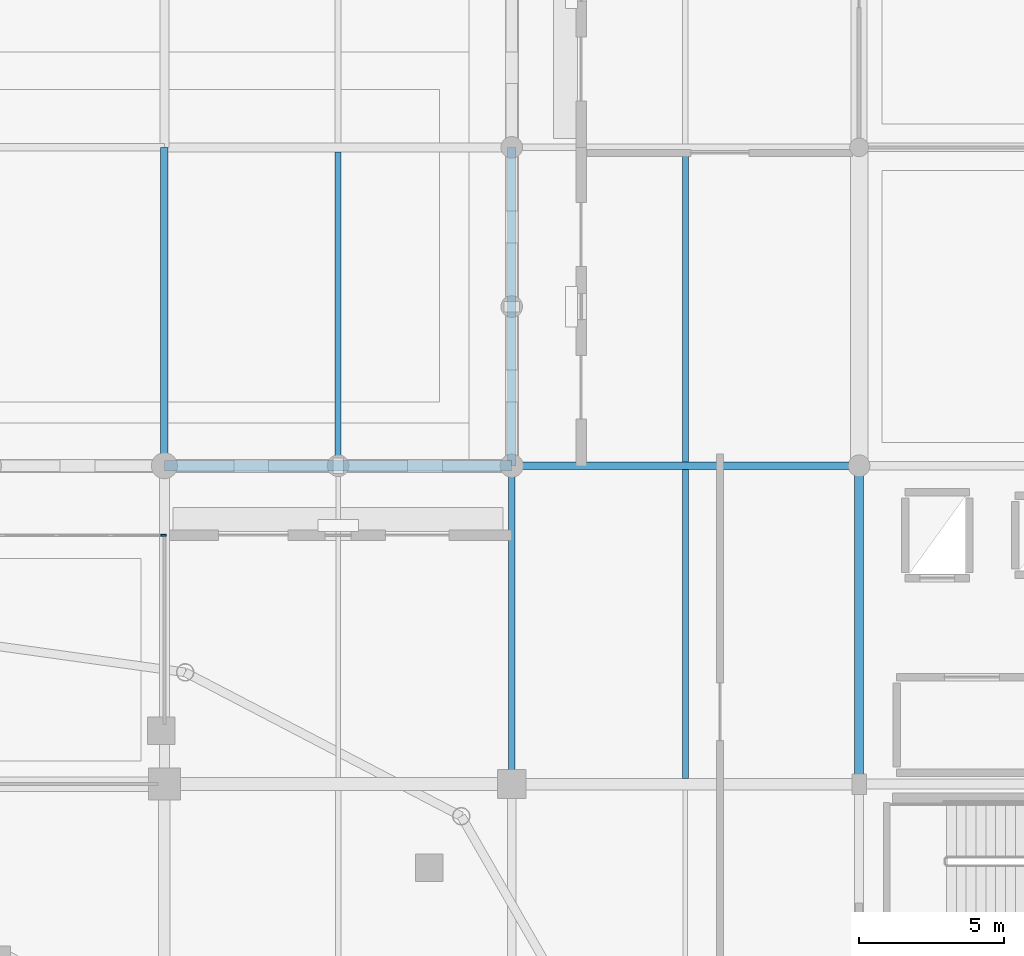
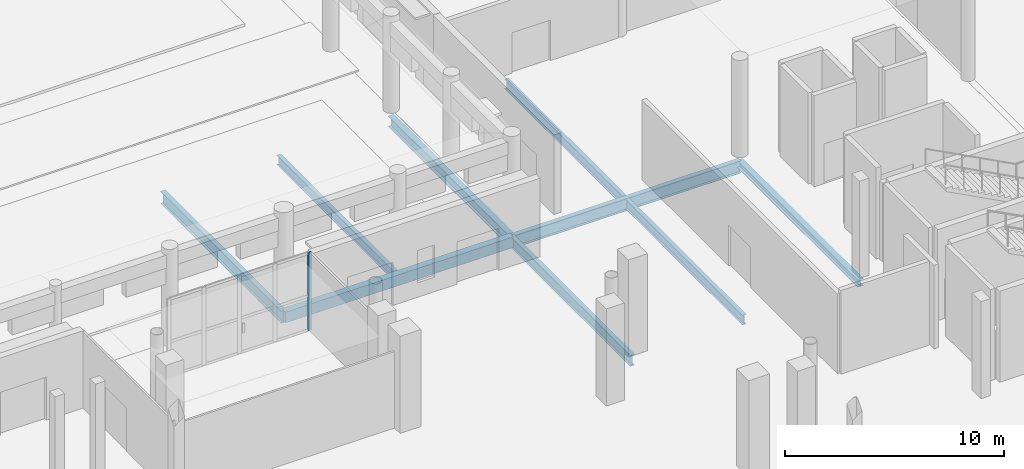
# One storey, part 34 of 120: 9 beams, 1 member, 1 element without a shape of its own.
"""IFC4 building model written with IfcOpenShell, lengths in metres."""

from ifc_helpers import new_model, si_unit, direction, frame, origin, origin_2d, place, context, subcontext, project, spatial, rectangle, i_section, extrude, material, material_profile, profile_set, type_object, element, aggregate, save


model = new_model("IFC4")

# Units and contexts
model_context = context("Model", 3, precision=1e-05, world=origin(), true_north=direction((0.0, 1.0)))
body_context = subcontext(model_context, "Body", "Model", "MODEL_VIEW")
ifc_project = project(units=[si_unit("LENGTHUNIT", "METRE"), si_unit("AREAUNIT", "SQUARE_METRE"), si_unit("VOLUMEUNIT", "CUBIC_METRE"), si_unit("PLANEANGLEUNIT", "RADIAN"), si_unit("MASSUNIT", "GRAM", prefix="KILO")], contexts=[model_context])

# Site, building, storey
site_placement = place(None, origin())
site = spatial("IfcSite", under=ifc_project, at=site_placement, CompositionType="ELEMENT")
building_placement = place(site_placement, origin())
building = spatial("IfcBuilding", under=site, at=building_placement, Name="Luwafu Chhajja Arena", CompositionType="ELEMENT")
storey_placement = place(building_placement, origin())
storey = spatial("IfcBuildingStorey", under=building, at=storey_placement, Name="L00", CompositionType="ELEMENT", Elevation=0.0)

# Beam
ifc_material_1 = material(Name="Concrete C35/45", Category="concrete")
ifc_material_profile_1 = material_profile(ifc_material_1, rectangle(XDim=0.35009765625, YDim=0.60009765625, at=origin_2d()), Name="RC 350x600")
ifc_profile_set_1 = profile_set([ifc_material_profile_1], Name="Concrete C35/45")
beam_type_1 = type_object("IfcBeamType", Name="Arcade Tie Beam RC 350x600", PredefinedType="BEAM", material=ifc_profile_set_1)
beam_1_placement = place(storey_placement, frame((128.0, 99.0, -0.64990234375), z_axis=(1.0, 0.0, 0.0), x_axis=(0.0, 1.0, 0.0)))
element("IfcBeam", 1, at=beam_1_placement, inside=storey, type_object=beam_type_1, Name="L00 Grid Beam 12-13/K", PredefinedType="BEAM", context=body_context, shape_type="SweptSolid", body=[
    extrude(rectangle(XDim=0.35009765625, YDim=0.60009765625, at=origin_2d()), origin(), (0.0, 0.0, 1.0), 12.0),
])

# Curtain wall, member
ifc_material_2 = material(Name="Anodised bronze aluminium", Category="aluminium")
curtain_wall_type = type_object("IfcCurtainWallType", Name="VIP Club Terrace Curtain Wall", PredefinedType="USERDEFINED", material=ifc_material_2)
curtain_wall_placement = place(storey_placement, origin())
curtain_wall = element("IfcCurtainWall", 2, at=curtain_wall_placement, inside=storey, type_object=curtain_wall_type, Name="L00 Curtain Wall CWG-L00-H10_09", ObjectType="CURTAIN WALL", PredefinedType="USERDEFINED")
ifc_material_profile_2 = material_profile(ifc_material_2, rectangle(XDim=0.06494140625, YDim=0.199951171875, at=origin_2d()), Name="CWM 65x200")
ifc_profile_set_2 = profile_set([ifc_material_profile_2], Name="Anodised bronze aluminium")
member_type = type_object("IfcMemberType", Name="Bronze Curtain Wall Mullion 65x200", PredefinedType="MULLION", material=ifc_profile_set_2)
member_placement = place(storey_placement, frame((127.967529296875, 96.60009765625, 0.030029296875), z_axis=(0.0, 0.0, 1.0), x_axis=(0.0, 1.0, 0.0)))
member = element("IfcMember", 3, at=member_placement, type_object=member_type, Name="CW-10 mullion 5", PredefinedType="MULLION", context=body_context, shape_type="SweptSolid", body=[
    extrude(rectangle(XDim=0.06494140625, YDim=0.199951171875, at=origin_2d()), origin(), (0.0, 0.0, 1.0), 4.33642578125),
])
aggregate(curtain_wall, [member])

# Beams
ifc_material_3 = material(Name="Steel S355", Category="steel")
ifc_material_profile_3 = material_profile(ifc_material_3, i_section(OverallWidth=0.2099609375, OverallDepth=0.53662109375, WebThickness=0.0107421875, FlangeThickness=0.017333984375, at=origin_2d()), Name="UB 533x210x101")
ifc_profile_set_3 = profile_set([ifc_material_profile_3], Name="Steel S355")
beam_type_2 = type_object("IfcBeamType", Name="Floor Joist UB 533x210x101", PredefinedType="JOIST", material=ifc_profile_set_3)
beam_2_placement = place(storey_placement, frame((134.0, 99.175048828125, -0.618408203125), z_axis=(0.0, 1.0, 0.0), x_axis=(-1.0, 0.0, 0.0)))
element("IfcBeam", 4, at=beam_2_placement, inside=storey, type_object=beam_type_2, Name="L00 Secondary Joist 12-13/K", PredefinedType="JOIST", context=body_context, shape_type="SweptSolid", body=[
    extrude(i_section(OverallWidth=0.2099609375, OverallDepth=0.53662109375, WebThickness=0.0107421875, FlangeThickness=0.017333984375, at=origin_2d()), origin(), (0.0, 0.0, 1.0), 10.67138671875),
])
beam_3_placement = place(storey_placement, frame((146.0, 88.199951171875, -0.618408203125), z_axis=(0.0, 1.0, 0.0), x_axis=(-1.0, 0.0, 0.0)))
element("IfcBeam", 5, at=beam_3_placement, inside=storey, type_object=beam_type_2, Name="L00 Secondary Joist 13-14/J", PredefinedType="JOIST", context=body_context, shape_type="SweptSolid", body=[
    extrude(i_section(OverallWidth=0.2099609375, OverallDepth=0.53662109375, WebThickness=0.0107421875, FlangeThickness=0.017333984375, at=origin_2d()), origin(), (0.0, 0.0, 1.0), 10.673095703125),
])
ifc_material_profile_4 = material_profile(ifc_material_3, i_section(OverallWidth=0.209228515625, OverallDepth=0.533203125, WebThickness=0.010009765625, FlangeThickness=0.015625, at=origin_2d()), Name="UB 533x210x92")
ifc_profile_set_4 = profile_set([ifc_material_profile_4], Name="Steel S355")
beam_type_3 = type_object("IfcBeamType", Name="Floor Joist UB 533x210x92", PredefinedType="JOIST", material=ifc_profile_set_4)
beam_4_placement = place(storey_placement, frame((146.0, 99.126953125, -0.616455078125), z_axis=(0.0, 1.0, 0.0), x_axis=(-1.0, 0.0, 0.0)))
element("IfcBeam", 6, at=beam_4_placement, inside=storey, type_object=beam_type_3, Name="L00 Secondary Joist 13-14/K", PredefinedType="JOIST", context=body_context, shape_type="SweptSolid", body=[
    extrude(i_section(OverallWidth=0.209228515625, OverallDepth=0.533203125, WebThickness=0.010009765625, FlangeThickness=0.015625, at=origin_2d()), origin(), (0.0, 0.0, 1.0), 10.758544921875),
])
ifc_material_profile_5 = material_profile(ifc_material_3, i_section(OverallWidth=0.253662109375, OverallDepth=0.68359375, WebThickness=0.012451171875, FlangeThickness=0.01904296875, at=origin_2d()), Name="UB 686x254x140")
ifc_profile_set_5 = profile_set([ifc_material_profile_5], Name="Steel S355")
beam_type_4 = type_object("IfcBeamType", Name="Steel Concourse Girder UB 686x254x140", PredefinedType="BEAM", material=ifc_profile_set_5)
beam_5_placement = place(storey_placement, frame((140.0, 99.0, -0.691650390625), z_axis=(1.0, 0.0, 0.0), x_axis=(0.0, 1.0, 0.0)))
element("IfcBeam", 7, at=beam_5_placement, inside=storey, type_object=beam_type_4, Name="L00 Grid Beam 13-14/K", PredefinedType="BEAM", context=body_context, shape_type="SweptSolid", body=[
    extrude(i_section(OverallWidth=0.253662109375, OverallDepth=0.68359375, WebThickness=0.012451171875, FlangeThickness=0.01904296875, at=origin_2d()), origin(), (0.0, 0.0, 1.0), 12.0),
])
beam_6_placement = place(storey_placement, frame((128.0, 99.0, -0.691650390625), z_axis=(0.0, 1.0, 0.0), x_axis=(-1.0, 0.0, 0.0)))
element("IfcBeam", 8, at=beam_6_placement, inside=storey, type_object=beam_type_4, Name="L00 Grid Beam 12/K-L", PredefinedType="BEAM", context=body_context, shape_type="SweptSolid", body=[
    extrude(i_section(OverallWidth=0.253662109375, OverallDepth=0.68359375, WebThickness=0.012451171875, FlangeThickness=0.01904296875, at=origin_2d()), origin(), (0.0, 0.0, 1.0), 11.0),
])
ifc_material_profile_6 = material_profile(ifc_material_3, i_section(OverallWidth=0.300048828125, OverallDepth=0.60009765625, WebThickness=0.015380859375, FlangeThickness=0.030029296875, at=origin_2d()), Name="HEB 600")
ifc_profile_set_6 = profile_set([ifc_material_profile_6], Name="Steel S355")
beam_type_5 = type_object("IfcBeamType", Name="Steel Gallery Girder HEB 600", PredefinedType="BEAM", material=ifc_profile_set_6)
beam_7_placement = place(storey_placement, frame((140.0, 99.0, -0.64990234375), z_axis=(0.0, 1.0, 0.0), x_axis=(-1.0, 0.0, 0.0)))
element("IfcBeam", 9, at=beam_7_placement, inside=storey, type_object=beam_type_5, Name="L00 Grid Beam 13/K-L", PredefinedType="BEAM", context=body_context, shape_type="SweptSolid", body=[
    extrude(i_section(OverallWidth=0.300048828125, OverallDepth=0.60009765625, WebThickness=0.015380859375, FlangeThickness=0.030029296875, at=origin_2d()), origin(), (0.0, 0.0, 1.0), 11.0),
])
ifc_material_profile_7 = material_profile(ifc_material_3, i_section(OverallWidth=0.22900390625, OverallDepth=0.6123046875, WebThickness=0.011962890625, FlangeThickness=0.01953125, at=origin_2d()), Name="UB 610x229x125")
ifc_profile_set_7 = profile_set([ifc_material_profile_7], Name="Steel S355")
beam_type_6 = type_object("IfcBeamType", Name="Steel Mezzanine Girder UB 610x229x125", PredefinedType="BEAM", material=ifc_profile_set_7)
beam_8_placement = place(storey_placement, frame((140.0, 88.0, -0.656005859375), z_axis=(0.0, 1.0, 0.0), x_axis=(-1.0, 0.0, 0.0)))
element("IfcBeam", 10, at=beam_8_placement, inside=storey, type_object=beam_type_6, Name="L00 Grid Beam 13/J-K", PredefinedType="BEAM", context=body_context, shape_type="SweptSolid", body=[
    extrude(i_section(OverallWidth=0.22900390625, OverallDepth=0.6123046875, WebThickness=0.011962890625, FlangeThickness=0.01953125, at=origin_2d()), origin(), (0.0, 0.0, 1.0), 11.0),
])
ifc_material_profile_8 = material_profile(ifc_material_3, i_section(OverallWidth=0.300048828125, OverallDepth=0.39990234375, WebThickness=0.013427734375, FlangeThickness=0.02392578125, at=origin_2d()), Name="HEB 400")
ifc_profile_set_8 = profile_set([ifc_material_profile_8], Name="Steel S355")
beam_type_7 = type_object("IfcBeamType", Name="Steel Rigging Grid Beam HEB 400", PredefinedType="BEAM", material=ifc_profile_set_8)
beam_9_placement = place(storey_placement, frame((152.0, 88.0, -0.550048828125), z_axis=(0.0, 1.0, 0.0), x_axis=(-1.0, 0.0, 0.0)))
element("IfcBeam", 11, at=beam_9_placement, inside=storey, type_object=beam_type_7, Name="L00 Grid Beam 14/J-K", PredefinedType="BEAM", context=body_context, shape_type="SweptSolid", body=[
    extrude(i_section(OverallWidth=0.300048828125, OverallDepth=0.39990234375, WebThickness=0.013427734375, FlangeThickness=0.02392578125, at=origin_2d()), origin(), (0.0, 0.0, 1.0), 11.0),
])

save(model, "model.ifc")
